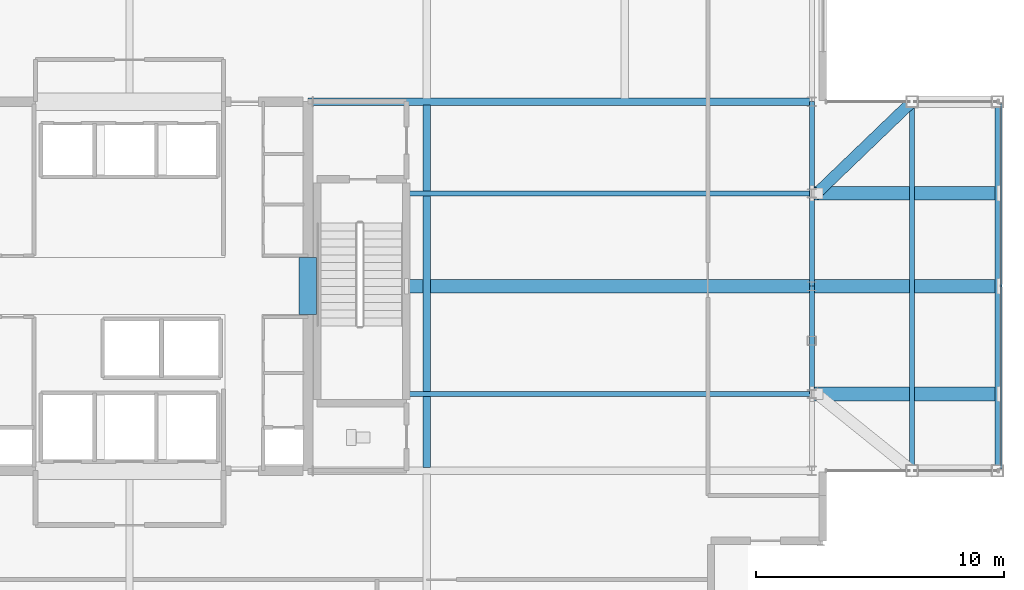
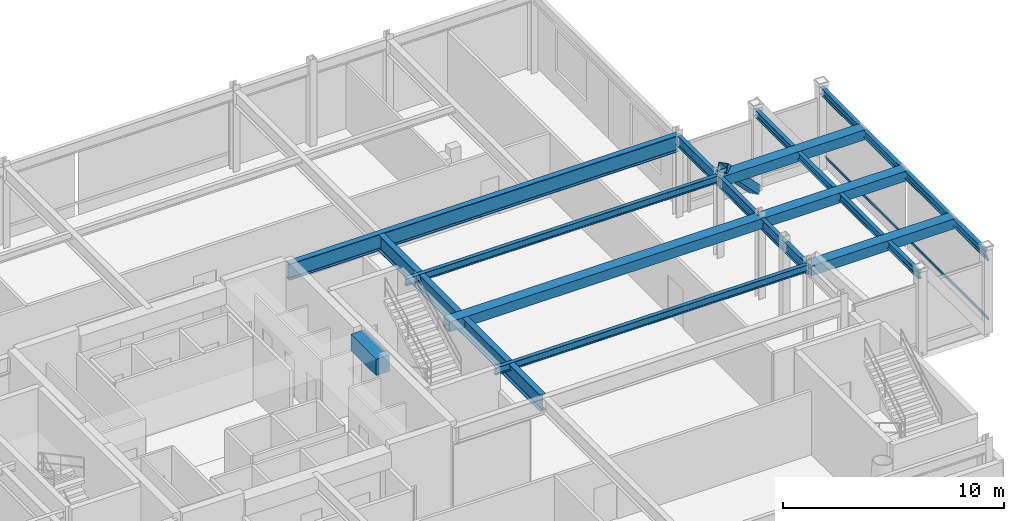
# One storey, part 11 of 26: 14 beams, 5 members, 1 element without a shape of its own.
"""IFC4 building model written with IfcOpenShell, lengths in metres."""

from ifc_helpers import new_model, si_unit, direction, frame, origin, origin_2d, place, context, subcontext, project, spatial, rectangle, hollow_rectangle, i_section, extrude, material, layer, layer_set, material_profile, profile_set, type_object, element, aggregate, save


model = new_model("IFC4")

# Units and contexts
model_context = context("Model", 3, precision=1e-05, world=origin(), true_north=direction((0.0, 1.0)))
body_context = subcontext(model_context, "Body", "Model", "MODEL_VIEW")
ifc_project = project(units=[si_unit("LENGTHUNIT", "METRE"), si_unit("AREAUNIT", "SQUARE_METRE"), si_unit("VOLUMEUNIT", "CUBIC_METRE"), si_unit("PLANEANGLEUNIT", "RADIAN"), si_unit("MASSUNIT", "GRAM", prefix="KILO")], contexts=[model_context])

# Site, building, storey
site_placement = place(None, origin())
site = spatial("IfcSite", under=ifc_project, at=site_placement, CompositionType="ELEMENT")
building_placement = place(site_placement, origin())
building = spatial("IfcBuilding", under=site, at=building_placement, Name="Veldorina Hangang Commons", CompositionType="ELEMENT")
storey_placement = place(building_placement, frame((0.0, 0.0, 10.0)))
storey = spatial("IfcBuildingStorey", under=building, at=storey_placement, Name="L02", CompositionType="ELEMENT", Elevation=10.0)

# Beams
ifc_material_1 = material(Name="Concrete C70/85", Category="concrete")
ifc_material_profile_1 = material_profile(ifc_material_1, rectangle(XDim=0.699951171875, YDim=0.89990234375, at=origin_2d()), Name="RC-CB-700x900")
ifc_profile_set_1 = profile_set([ifc_material_profile_1], Name="Concrete C70/85")
beam_type_1 = type_object("IfcBeamType", Name="BM-CB900", PredefinedType="LINTEL", material=ifc_profile_set_1)
beam_1_placement = place(storey_placement, frame((39.199951171875, 22.85009765625, 4.050048828125), z_axis=(0.0, 1.0, 0.0), x_axis=(-1.0, 0.0, 0.0)))
element("IfcBeam", 1, at=beam_1_placement, inside=storey, type_object=beam_type_1, Name="L02 E core coupling lintel beam", PredefinedType="LINTEL", context=body_context, shape_type="SweptSolid", body=[
    extrude(rectangle(XDim=0.699951171875, YDim=0.89990234375, at=origin_2d()), origin(), (0.0, 0.0, 1.0), 2.2998046875),
])
ifc_material_2 = material(Name="Steel SM420-TMC", Category="steel")
ifc_material_profile_2 = material_profile(ifc_material_2, hollow_rectangle(XDim=0.550048828125, YDim=0.550048828125, WallThickness=0.02490234375, at=origin_2d()), Name="BOX-550x550x25")
ifc_profile_set_2 = profile_set([ifc_material_profile_2], Name="Steel SM420-TMC")
beam_type_2 = type_object("IfcBeamType", Name="BM-CNT550", PredefinedType="BEAM", material=ifc_profile_set_2)
beam_2_placement = place(storey_placement, frame((59.550048828125, 19.64990234375, 4.22509765625), z_axis=(1.0, 0.0, 0.0), x_axis=(0.0, 1.0, 0.0)))
element("IfcBeam", 2, at=beam_2_placement, inside=storey, type_object=beam_type_2, Name="L02 lounge cantilever girder S", PredefinedType="BEAM", context=body_context, shape_type="SweptSolid", body=[
    extrude(hollow_rectangle(XDim=0.550048828125, YDim=0.550048828125, WallThickness=0.02490234375, at=origin_2d()), origin(), (0.0, 0.0, 1.0), 7.5),
])
beam_3_placement = place(storey_placement, frame((43.179931640625, 24.0, 4.22509765625), z_axis=(1.0, 0.0, 0.0), x_axis=(0.0, 1.0, 0.0)))
element("IfcBeam", 3, at=beam_3_placement, inside=storey, type_object=beam_type_2, Name="L02 lounge cantilever backspan girder M", PredefinedType="BEAM", context=body_context, shape_type="SweptSolid", body=[
    extrude(hollow_rectangle(XDim=0.550048828125, YDim=0.550048828125, WallThickness=0.02490234375, at=origin_2d()), origin(), (0.0, 0.0, 1.0), 16.3701171875),
])
for number, where, z_axis, x_axis, name in (
    (4, (59.550048828125, 24.0, 4.22509765625), (1.0, 0.0, 0.0), (0.0, 1.0, 0.0), "L02 lounge cantilever girder M"),
    (5, (59.550048828125, 27.75, 4.22509765625), (1.0, 0.0, 0.0), (0.0, 1.0, 0.0), "L02 lounge cantilever girder N"),
):
    element("IfcBeam", number, at=place(storey_placement, frame(where, z_axis=z_axis, x_axis=x_axis)), inside=storey, type_object=beam_type_2, Name=name, PredefinedType="BEAM", context=body_context, shape_type="SweptSolid", body=[
        extrude(hollow_rectangle(XDim=0.550048828125, YDim=0.550048828125, WallThickness=0.02490234375, at=origin_2d()), origin(), (0.0, 0.0, 1.0), 7.5),
    ])
ifc_material_3 = material(Name="Steel SM355-TMC", Category="steel")
ifc_material_profile_3 = material_profile(ifc_material_3, i_section(OverallWidth=0.199951171875, OverallDepth=0.39990234375, WebThickness=0.008056640625, FlangeThickness=0.012939453125, FilletRadius=0.012939453125, at=origin_2d()), Name="H-400x200x8x13")
ifc_profile_set_3 = profile_set([ifc_material_profile_3], Name="Steel SM355-TMC")
beam_type_3 = type_object("IfcBeamType", Name="BM-FG400", PredefinedType="BEAM", material=ifc_profile_set_3)
for number, where, z_axis, x_axis, name in (
    (6, (63.60009765625, 16.550048828125, 4.300048828125), (0.0, 1.0, 0.0), (-1.0, 0.0, 0.0), "L02 lounge cantilever tie beam MID"),
    (7, (67.050048828125, 16.550048828125, 4.300048828125), (0.0, 1.0, 0.0), (-1.0, 0.0, 0.0), "L02 lounge cantilever tie beam TIP"),
):
    element("IfcBeam", number, at=place(storey_placement, frame(where, z_axis=z_axis, x_axis=x_axis)), inside=storey, type_object=beam_type_3, Name=name, PredefinedType="BEAM", context=body_context, shape_type="SweptSolid", body=[
        extrude(i_section(OverallWidth=0.199951171875, OverallDepth=0.39990234375, WebThickness=0.008056640625, FlangeThickness=0.012939453125, FilletRadius=0.012939453125, at=origin_2d()), origin(), (0.0, 0.0, 1.0), 14.89990234375),
    ])
ifc_material_profile_4 = material_profile(ifc_material_3, i_section(OverallWidth=0.199951171875, OverallDepth=0.39990234375, WebThickness=0.008056640625, FlangeThickness=0.012939453125, FilletRadius=0.012939453125, at=origin_2d()), Name="H-400x200x8x13")
ifc_profile_set_4 = profile_set([ifc_material_profile_4], Name="Steel SM355-TMC")
beam_type_4 = type_object("IfcBeamType", Name="BM-JST400", PredefinedType="JOIST", material=ifc_profile_set_4)
for number, where, z_axis, x_axis, name in (
    (8, (43.179931640625, 19.64990234375, 4.300048828125), (1.0, 0.0, 0.0), (0.0, 1.0, 0.0), "L02 east floor joist 1"),
    (9, (43.179931640625, 27.75, 4.300048828125), (1.0, 0.0, 0.0), (0.0, 1.0, 0.0), "L02 east floor joist 3"),
):
    element("IfcBeam", number, at=place(storey_placement, frame(where, z_axis=z_axis, x_axis=x_axis)), inside=storey, type_object=beam_type_4, Name=name, PredefinedType="JOIST", context=body_context, shape_type="SweptSolid", body=[
        extrude(i_section(OverallWidth=0.199951171875, OverallDepth=0.39990234375, WebThickness=0.008056640625, FlangeThickness=0.012939453125, FilletRadius=0.012939453125, at=origin_2d()), origin(), (0.0, 0.0, 1.0), 16.3701171875),
    ])
ifc_material_4 = material(Name="Steel SM460-TMC", Category="steel")
ifc_material_profile_5 = material_profile(ifc_material_4, i_section(OverallWidth=0.300048828125, OverallDepth=0.89990234375, WebThickness=0.01611328125, FlangeThickness=0.028076171875, FilletRadius=0.02197265625, at=origin_2d()), Name="H-900x300x16x28")
ifc_profile_set_5 = profile_set([ifc_material_profile_5], Name="Steel SM460-TMC")
beam_type_5 = type_object("IfcBeamType", Name="BM-PG900", PredefinedType="BEAM", material=ifc_profile_set_5)
beam_4_placement = place(storey_placement, frame((39.199951171875, 31.449951171875, 4.050048828125), z_axis=(1.0, 0.0, 0.0), x_axis=(0.0, 1.0, 0.0)))
element("IfcBeam", 10, at=beam_4_placement, inside=storey, type_object=beam_type_5, Name="L02 east collector girder GF", PredefinedType="BEAM", context=body_context, shape_type="SweptSolid", body=[
    extrude(i_section(OverallWidth=0.300048828125, OverallDepth=0.89990234375, WebThickness=0.01611328125, FlangeThickness=0.028076171875, FilletRadius=0.02197265625, at=origin_2d()), origin(), (0.0, 0.0, 1.0), 20.35009765625),
])
beam_5_placement = place(storey_placement, frame((44.0, 16.68994140625, 4.050048828125), z_axis=(0.0, 1.0, 0.0), x_axis=(-1.0, 0.0, 0.0)))
element("IfcBeam", 11, at=beam_5_placement, inside=storey, type_object=beam_type_5, Name="L02 mid primary girder G7", PredefinedType="BEAM", context=body_context, shape_type="SweptSolid", body=[
    extrude(i_section(OverallWidth=0.300048828125, OverallDepth=0.89990234375, WebThickness=0.01611328125, FlangeThickness=0.028076171875, FilletRadius=0.02197265625, at=origin_2d()), origin(), (0.0, 0.0, 1.0), 14.6201171875),
])
ifc_material_profile_6 = material_profile(ifc_material_2, i_section(OverallWidth=0.199951171875, OverallDepth=0.60009765625, WebThickness=0.010986328125, FlangeThickness=0.01708984375, FilletRadius=0.01806640625, at=origin_2d()), Name="H-600x200x11x17")
ifc_profile_set_6 = profile_set([ifc_material_profile_6], Name="Steel SM420-TMC")
beam_type_6 = type_object("IfcBeamType", Name="BM-SPN600", PredefinedType="SPANDREL", material=ifc_profile_set_6)
beam_6_placement = place(storey_placement, frame((59.550048828125, 19.64990234375, 4.199951171875), z_axis=(0.0, 1.0, 0.0), x_axis=(-1.0, 0.0, 0.0)))
element("IfcBeam", 12, at=beam_6_placement, inside=storey, type_object=beam_type_6, Name="L02 east spandrel beam 3", PredefinedType="SPANDREL", context=body_context, shape_type="SweptSolid", body=[
    extrude(i_section(OverallWidth=0.199951171875, OverallDepth=0.60009765625, WebThickness=0.010986328125, FlangeThickness=0.01708984375, FilletRadius=0.01806640625, at=origin_2d()), origin(), (0.0, 0.0, 1.0), 4.35009765625),
])
beam_7_placement = place(storey_placement, frame((59.550048828125, 24.0, 4.199951171875), z_axis=(0.0, 1.0, 0.0), x_axis=(-1.0, 0.0, 0.0)))
element("IfcBeam", 13, at=beam_7_placement, inside=storey, type_object=beam_type_6, Name="L02 east spandrel beam 4", PredefinedType="SPANDREL", context=body_context, shape_type="SweptSolid", body=[
    extrude(i_section(OverallWidth=0.199951171875, OverallDepth=0.60009765625, WebThickness=0.010986328125, FlangeThickness=0.01708984375, FilletRadius=0.01806640625, at=origin_2d()), origin(), (0.0, 0.0, 1.0), 3.75),
])
beam_8_placement = place(storey_placement, frame((59.550048828125, 27.75, 4.199951171875), z_axis=(0.0, 1.0, 0.0), x_axis=(-1.0, 0.0, 0.0)))
element("IfcBeam", 14, at=beam_8_placement, inside=storey, type_object=beam_type_6, Name="L02 east spandrel beam 5", PredefinedType="SPANDREL", context=body_context, shape_type="SweptSolid", body=[
    extrude(i_section(OverallWidth=0.199951171875, OverallDepth=0.60009765625, WebThickness=0.010986328125, FlangeThickness=0.01708984375, FilletRadius=0.01806640625, at=origin_2d()), origin(), (0.0, 0.0, 1.0), 3.699951171875),
])

# Member
ifc_material_profile_7 = material_profile(ifc_material_2, hollow_rectangle(XDim=0.449951171875, YDim=0.449951171875, WallThickness=0.02197265625, at=origin_2d()), Name="SHS-450x450x22")
ifc_profile_set_7 = profile_set([ifc_material_profile_7], Name="Steel SM420-TMC")
member_type_1 = type_object("IfcMemberType", Name="CNT-SHS450", PredefinedType="BRACE", material=ifc_profile_set_7)
member_1_placement = place(storey_placement, frame((59.75, 27.75, 4.800048828125), z_axis=(0.536220310811, 0.515308738766, -0.668524256871), x_axis=(-0.692907669814, 0.721026324841, 0.0)))
element("IfcMember", 15, at=member_1_placement, inside=storey, type_object=member_type_1, Name="L02 lounge truss diagonal N-D1", PredefinedType="BRACE", context=body_context, shape_type="SweptSolid", body=[
    extrude(hollow_rectangle(XDim=0.449951171875, YDim=0.449951171875, WallThickness=0.02197265625, at=origin_2d()), origin(), (0.0, 0.0, 1.0), 7.18017578125),
])

# Curtain wall, members
ifc_material_5 = material(Name="Glass Low-E Solar Control", Category="glass")
ifc_layer = layer(ifc_material_5, 0.179931640625)
ifc_layer_set = layer_set([ifc_layer], Name="Glass Low-E Solar Control")
curtain_wall_type = type_object("IfcCurtainWallType", Name="CW-SYS-CANT", PredefinedType="NOTDEFINED", material=ifc_layer_set)
curtain_wall_placement = place(storey_placement, origin())
curtain_wall = element("IfcCurtainWall", 16, at=curtain_wall_placement, inside=storey, type_object=curtain_wall_type, Name="L02 unitised curtain wall CW-L02-CANT-E", PredefinedType="NOTDEFINED")
ifc_material_6 = material(Name="Aluminium Anodized AA6063-T6", Category="aluminium")
ifc_material_profile_8 = material_profile(ifc_material_6, hollow_rectangle(XDim=0.06005859375, YDim=0.139892578125, WallThickness=0.00341796875, at=origin_2d()), Name="ALU-RHS-140x60x3.5")
ifc_profile_set_8 = profile_set([ifc_material_profile_8], Name="Aluminium Anodized AA6063-T6")
member_type_2 = type_object("IfcMemberType", Name="CW-TRN-140", PredefinedType="USERDEFINED", material=ifc_profile_set_8)
member_2_placement = place(storey_placement, frame((67.199951171875, 16.6201171875, 0.60009765625), z_axis=(0.0, 1.0, 0.0), x_axis=(-1.0, 0.0, 0.0)))
member_2 = element("IfcMember", 17, at=member_2_placement, type_object=member_type_2, Name="CW-L02-CANT-E facet 1 transom 1", ObjectType="TRANSOM", PredefinedType="USERDEFINED", context=body_context, shape_type="SweptSolid", body=[
    extrude(hollow_rectangle(XDim=0.06005859375, YDim=0.139892578125, WallThickness=0.00341796875, at=origin_2d()), origin(), (0.0, 0.0, 1.0), 7.3798828125),
])
member_3_placement = place(storey_placement, frame((67.199951171875, 16.6201171875, 3.840087890625), z_axis=(0.0, 1.0, 0.0), x_axis=(-1.0, 0.0, 0.0)))
member_3 = element("IfcMember", 18, at=member_3_placement, type_object=member_type_2, Name="CW-L02-CANT-E facet 1 transom 2", ObjectType="TRANSOM", PredefinedType="USERDEFINED", context=body_context, shape_type="SweptSolid", body=[
    extrude(hollow_rectangle(XDim=0.06005859375, YDim=0.139892578125, WallThickness=0.00341796875, at=origin_2d()), origin(), (0.0, 0.0, 1.0), 7.3798828125),
])
member_4_placement = place(storey_placement, frame((67.199951171875, 24.0, 0.60009765625), z_axis=(0.0, 1.0, 0.0), x_axis=(-1.0, 0.0, 0.0)))
member_4 = element("IfcMember", 19, at=member_4_placement, type_object=member_type_2, Name="CW-L02-CANT-E facet 2 transom 1", ObjectType="TRANSOM", PredefinedType="USERDEFINED", context=body_context, shape_type="SweptSolid", body=[
    extrude(hollow_rectangle(XDim=0.06005859375, YDim=0.139892578125, WallThickness=0.00341796875, at=origin_2d()), origin(), (0.0, 0.0, 1.0), 7.3798828125),
])
member_5_placement = place(storey_placement, frame((67.199951171875, 24.0, 3.840087890625), z_axis=(0.0, 1.0, 0.0), x_axis=(-1.0, 0.0, 0.0)))
member_5 = element("IfcMember", 20, at=member_5_placement, type_object=member_type_2, Name="CW-L02-CANT-E facet 2 transom 2", ObjectType="TRANSOM", PredefinedType="USERDEFINED", context=body_context, shape_type="SweptSolid", body=[
    extrude(hollow_rectangle(XDim=0.06005859375, YDim=0.139892578125, WallThickness=0.00341796875, at=origin_2d()), origin(), (0.0, 0.0, 1.0), 7.3798828125),
])
aggregate(curtain_wall, [member_2, member_3, member_4, member_5])

save(model, "model.ifc")
